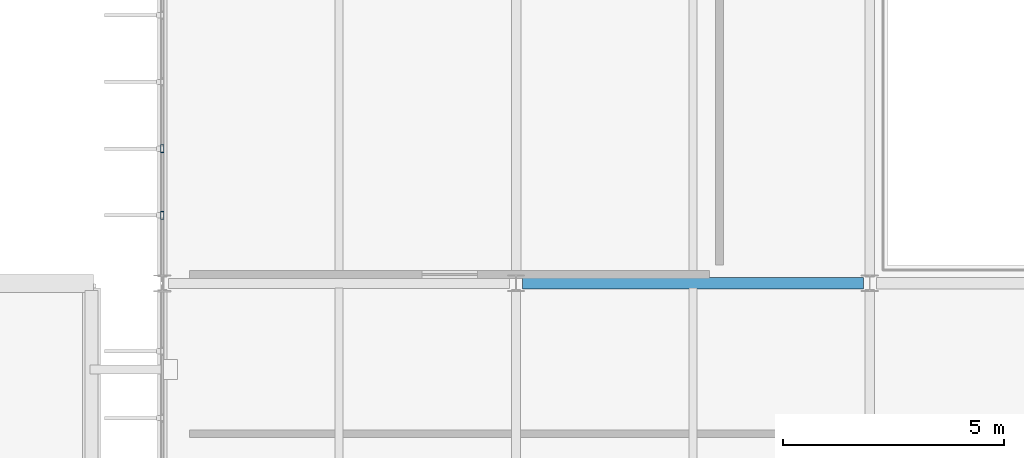
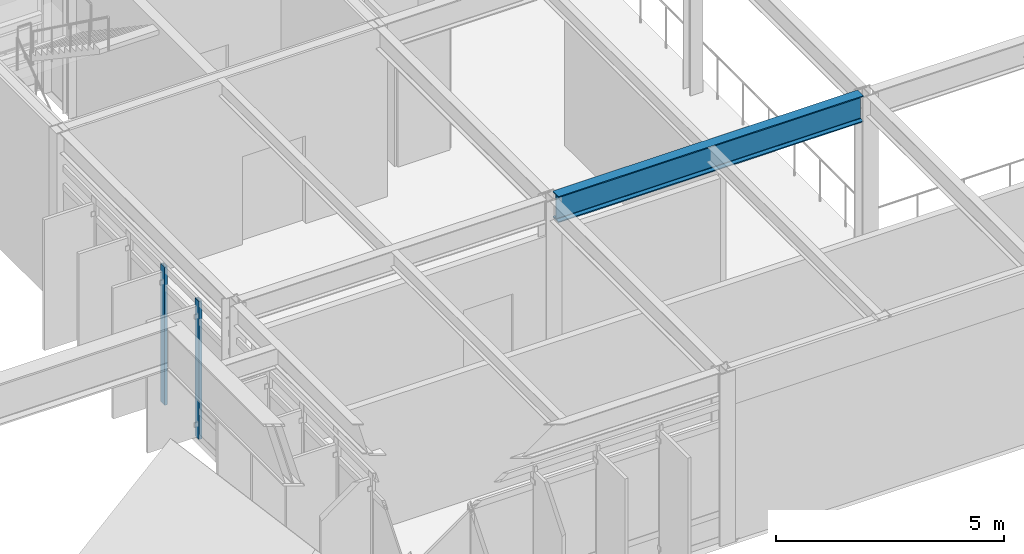
# One storey, part 38 of 104: 2 members, 1 beam, 1 element without a shape of its own.
"""IFC4 building model written with IfcOpenShell, lengths in metres."""

from ifc_helpers import new_model, si_unit, direction, frame, origin, origin_2d, place, context, subcontext, project, spatial, hollow_rectangle, i_section, extrude, material, material_profile, profile_set, type_object, element, aggregate, save


model = new_model("IFC4")

# Units and contexts
model_context = context("Model", 3, precision=1e-05, world=origin(), true_north=direction((0.0, 1.0)))
body_context = subcontext(model_context, "Body", "Model", "MODEL_VIEW")
ifc_project = project(units=[si_unit("LENGTHUNIT", "METRE"), si_unit("AREAUNIT", "SQUARE_METRE"), si_unit("VOLUMEUNIT", "CUBIC_METRE"), si_unit("PLANEANGLEUNIT", "RADIAN"), si_unit("MASSUNIT", "GRAM", prefix="KILO")], contexts=[model_context])

# Site, building, storey
site_placement = place(None, origin())
site = spatial("IfcSite", under=ifc_project, at=site_placement, CompositionType="ELEMENT")
building_placement = place(site_placement, origin())
building = spatial("IfcBuilding", under=site, at=building_placement, Name="Zulena Civic Courthouse", CompositionType="ELEMENT")
storey_placement = place(building_placement, frame((0.0, 0.0, 10.800048828125)))
storey = spatial("IfcBuildingStorey", under=building, at=storey_placement, Name="L02", CompositionType="ELEMENT", Elevation=10.800048828125)

# Curtain wall, members
ifc_material_1 = material(Name="Double-silver low-E laminated solar-control glass", Category="glass")
curtain_wall_type = type_object("IfcCurtainWallType", Name="CW_7540x3690", PredefinedType="USERDEFINED", material=ifc_material_1)
curtain_wall_placement = place(storey_placement, origin())
curtain_wall = element("IfcCurtainWall", 1, at=curtain_wall_placement, inside=storey, type_object=curtain_wall_type, Name="cw:V4:L02:0:1", ObjectType="UNITISED CURTAIN WALL", PredefinedType="USERDEFINED")
ifc_material_2 = material(Name="Bronze anodised thermally broken aluminium AA6063-T6", Category="aluminium")
ifc_material_profile_1 = material_profile(ifc_material_2, hollow_rectangle(XDim=0.074951171875, YDim=0.179931640625, WallThickness=0.0048828125, at=origin_2d()), Name="CWM180X75X5")
ifc_profile_set_1 = profile_set([ifc_material_profile_1], Name="Bronze anodised thermally broken aluminium AA6063-T6")
member_type = type_object("IfcMemberType", Name="CWMullion_180x75", PredefinedType="MULLION", material=ifc_profile_set_1)
member_1_placement = place(storey_placement, frame((68.0, 24.337890625, 0.0), z_axis=(0.0, 0.0, 1.0), x_axis=(1.0, 0.0, 0.0)))
member_1 = element("IfcMember", 2, at=member_1_placement, type_object=member_type, Name="cw:V4:L02:0:1:mull:1", PredefinedType="MULLION", context=body_context, shape_type="SweptSolid", body=[
    extrude(hollow_rectangle(XDim=0.074951171875, YDim=0.179931640625, WallThickness=0.0048828125, at=origin_2d()), origin(), (0.0, 0.0, 1.0), 3.68994140625),
])
member_2_placement = place(storey_placement, frame((68.0, 25.845947265625, 0.0), z_axis=(0.0, 0.0, 1.0), x_axis=(1.0, 0.0, 0.0)))
member_2 = element("IfcMember", 3, at=member_2_placement, type_object=member_type, Name="cw:V4:L02:0:1:mull:2", PredefinedType="MULLION", context=body_context, shape_type="SweptSolid", body=[
    extrude(hollow_rectangle(XDim=0.074951171875, YDim=0.179931640625, WallThickness=0.0048828125, at=origin_2d()), origin(), (0.0, 0.0, 1.0), 3.68994140625),
])
aggregate(curtain_wall, [member_1, member_2])

# Beam
ifc_material_3 = material(Name="Steel ASTM A992 Grade 50", Category="steel")
ifc_material_profile_2 = material_profile(ifc_material_3, i_section(OverallWidth=0.25390625, OverallDepth=0.701904296875, WebThickness=0.015380859375, FlangeThickness=0.02783203125, FilletRadius=0.0166015625, at=origin_2d()), Name="W27X129")
ifc_profile_set_2 = profile_set([ifc_material_profile_2], Name="Steel ASTM A992 Grade 50")
beam_type = type_object("IfcBeamType", Name="Girder_W27X129", PredefinedType="BEAM", material=ifc_profile_set_2)
beam_placement = place(storey_placement, frame((76.14501953125, 22.800048828125, 4.239013671875), z_axis=(1.0, 0.0, 0.0), x_axis=(0.0, 1.0, 0.0)))
element("IfcBeam", 4, at=beam_placement, inside=storey, type_object=beam_type, Name="beam:X:V4:L02:22.8:76.0_84.0", PredefinedType="BEAM", context=body_context, shape_type="SweptSolid", body=[
    extrude(i_section(OverallWidth=0.25390625, OverallDepth=0.701904296875, WebThickness=0.015380859375, FlangeThickness=0.02783203125, FilletRadius=0.0166015625, at=origin_2d()), origin(), (0.0, 0.0, 1.0), 7.7099609375),
])

save(model, "model.ifc")
